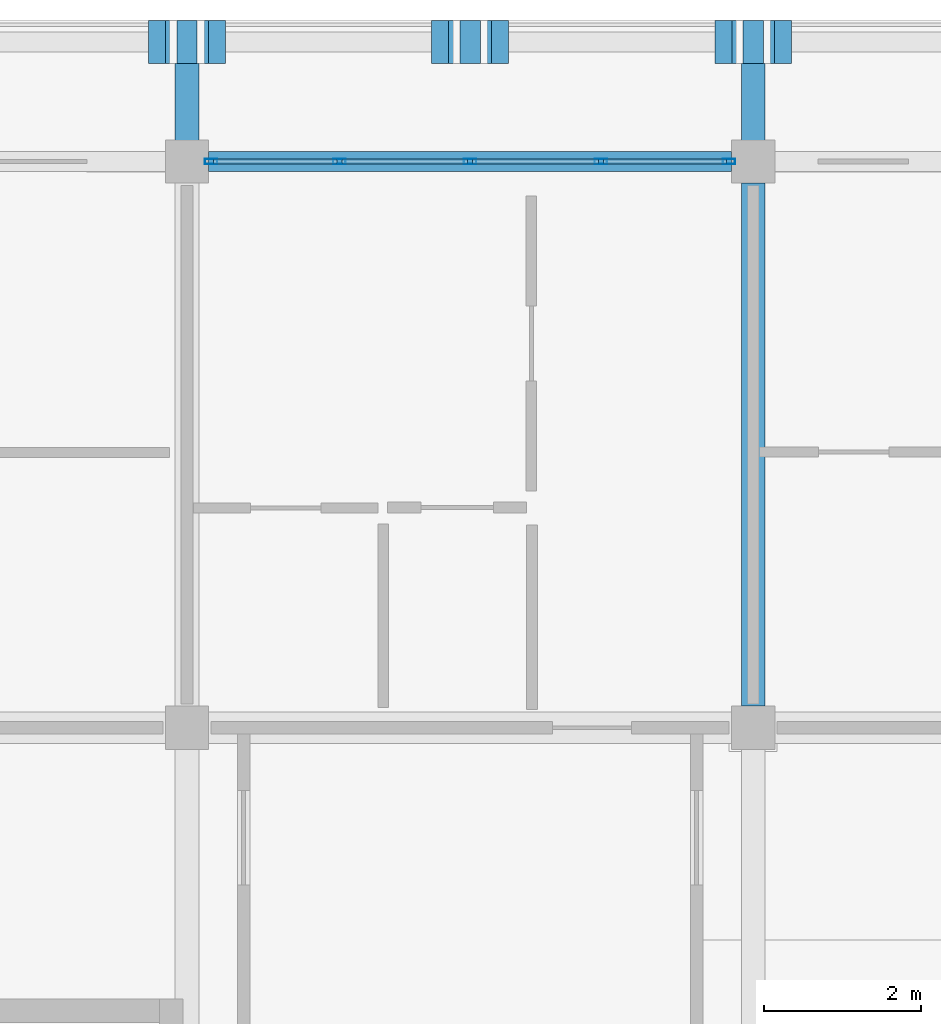
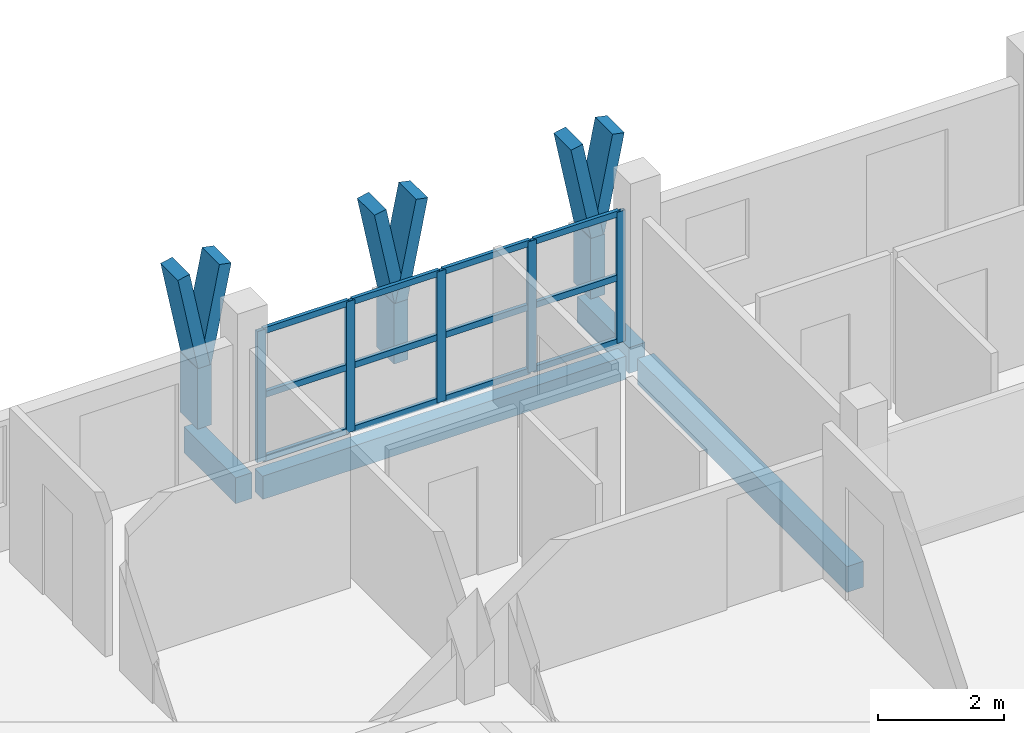
# One storey, part 27 of 67: 26 members, 4 beams, 1 element without a shape of its own.
"""IFC4 building model written with IfcOpenShell, lengths in metres."""

from ifc_helpers import new_model, si_unit, direction, frame, origin, origin_2d, place, context, subcontext, project, spatial, rectangle, hollow_rectangle, extrude, material, material_profile, profile_set, type_object, element, aggregate, save


model = new_model("IFC4")

# Units and contexts
model_context = context("Model", 3, precision=1e-05, world=origin(), true_north=direction((0.0, 1.0)))
body_context = subcontext(model_context, "Body", "Model", "MODEL_VIEW")
ifc_project = project(units=[si_unit("LENGTHUNIT", "METRE"), si_unit("AREAUNIT", "SQUARE_METRE"), si_unit("VOLUMEUNIT", "CUBIC_METRE"), si_unit("PLANEANGLEUNIT", "RADIAN"), si_unit("MASSUNIT", "GRAM", prefix="KILO")], contexts=[model_context])

# Site, building, storey
site_placement = place(None, origin())
site = spatial("IfcSite", under=ifc_project, at=site_placement, CompositionType="ELEMENT")
building_placement = place(site_placement, origin())
building = spatial("IfcBuilding", under=site, at=building_placement, Name="Suanplinth Sawtooth Commons", CompositionType="ELEMENT")
storey_placement = place(building_placement, frame((0.0, 0.0, 25.10009765625)))
storey = spatial("IfcBuildingStorey", under=building, at=storey_placement, Name="L07", CompositionType="ELEMENT", Elevation=25.10009765625)

# Beams
ifc_material_1 = material(Name="Precast concrete C40/50", Category="concrete")
ifc_material_profile_1 = material_profile(ifc_material_1, rectangle(XDim=0.300048828125, YDim=0.5, at=origin_2d()), Name="PC-BM 300x500")
ifc_profile_set_1 = profile_set([ifc_material_profile_1], Name="Precast concrete C40/50")
beam_type_1 = type_object("IfcBeamType", Name="B-07", PredefinedType="BEAM", material=ifc_profile_set_1)
beam_1_placement = place(storey_placement, frame((172.800048828125, 115.47509765625, -0.47021484375), z_axis=(0.0, 1.0, 0.0), x_axis=(-1.0, 0.0, 0.0)))
element("IfcBeam", 1, at=beam_1_placement, inside=storey, type_object=beam_type_1, Name="BMY-L07-B-24-16", PredefinedType="BEAM", context=body_context, shape_type="SweptSolid", body=[
    extrude(rectangle(XDim=0.300048828125, YDim=0.5, at=origin_2d()), origin(), (0.0, 0.0, 1.0), 6.64990234375),
])
for number, where, z_axis, x_axis, name in (
    (2, (165.60009765625, 122.39990234375, -0.43017578125), (0.0, 1.0, 0.0), (-1.0, 0.0, 0.0), "Balcony Outrigger L07-B-N-23"),
    (3, (172.800048828125, 122.39990234375, -0.43017578125), (0.0, 1.0, 0.0), (-1.0, 0.0, 0.0), "Balcony Outrigger L07-B-N-24"),
):
    element("IfcBeam", number, at=place(storey_placement, frame(where, z_axis=z_axis, x_axis=x_axis)), inside=storey, type_object=beam_type_1, Name=name, PredefinedType="BEAM", context=body_context, shape_type="SweptSolid", body=[
        extrude(rectangle(XDim=0.300048828125, YDim=0.5, at=origin_2d()), origin(), (0.0, 0.0, 1.0), 1.64013671875),
    ])
ifc_material_profile_2 = material_profile(ifc_material_1, rectangle(XDim=0.25, YDim=0.449951171875, at=origin_2d()), Name="PC-SP 250x450")
ifc_profile_set_2 = profile_set([ifc_material_profile_2], Name="Precast concrete C40/50")
beam_type_2 = type_object("IfcBeamType", Name="B-09", PredefinedType="SPANDREL", material=ifc_profile_set_2)
beam_2_placement = place(storey_placement, frame((165.875, 122.39990234375, -0.445068359375), z_axis=(1.0, 0.0, 0.0), x_axis=(0.0, 1.0, 0.0)))
element("IfcBeam", 4, at=beam_2_placement, inside=storey, type_object=beam_type_2, Name="BMX-L07-B-23-17", PredefinedType="SPANDREL", context=body_context, shape_type="SweptSolid", body=[
    extrude(rectangle(XDim=0.25, YDim=0.449951171875, at=origin_2d()), origin(), (0.0, 0.0, 1.0), 6.64990234375),
])

# Members
ifc_material_2 = material(Name="Pigmented precast concrete C40/50", Category="concrete")
ifc_material_profile_3 = material_profile(ifc_material_2, rectangle(XDim=0.260009765625, YDim=0.550048828125, at=origin_2d()), Name="PC-FIN 260x550")
ifc_profile_set_3 = profile_set([ifc_material_profile_3], Name="Pigmented precast concrete C40/50")
member_type_1 = type_object("IfcMemberType", Name="M-09", PredefinedType="USERDEFINED", material=ifc_profile_set_3)
for number, where, z_axis, x_axis, name in (
    (5, (165.60009765625, 123.919921875, 0.0), (0.0, 0.0, 1.0), (1.0, 0.0, 0.0), "Y-Blade Stem L07-B-N-05"),
    (6, (169.199951171875, 123.919921875, 0.0), (0.0, 0.0, 1.0), (1.0, 0.0, 0.0), "Y-Blade Stem L07-B-N-06"),
    (7, (172.800048828125, 123.919921875, 0.0), (0.0, 0.0, 1.0), (1.0, 0.0, 0.0), "Y-Blade Stem L07-B-N-07"),
):
    element("IfcMember", number, at=place(storey_placement, frame(where, z_axis=z_axis, x_axis=x_axis)), inside=storey, type_object=member_type_1, Name=name, ObjectType="SHADING FIN", PredefinedType="USERDEFINED", context=body_context, shape_type="SweptSolid", body=[
        extrude(rectangle(XDim=0.260009765625, YDim=0.550048828125, at=origin_2d()), origin(), (0.0, 0.0, 1.0), 1.169921875),
    ])
ifc_material_profile_4 = material_profile(ifc_material_2, rectangle(XDim=0.219970703125, YDim=0.550048828125, at=origin_2d()), Name="PC-FIN 220x550")
ifc_profile_set_4 = profile_set([ifc_material_profile_4], Name="Pigmented precast concrete C40/50")
member_type_2 = type_object("IfcMemberType", Name="M-10", PredefinedType="USERDEFINED", material=ifc_profile_set_4)
member_1_placement = place(storey_placement, frame((165.60009765625, 123.919921875, 1.1298828125), z_axis=(-0.196431120402, 0.0, 0.980517626021), x_axis=(0.980517626021, 0.0, 0.196431120402)))
element("IfcMember", 8, at=member_1_placement, inside=storey, type_object=member_type_2, Name="Y-Blade Arm L L07-B-N-05", ObjectType="SHADING FIN", PredefinedType="USERDEFINED", context=body_context, shape_type="SweptSolid", body=[
    extrude(rectangle(XDim=0.219970703125, YDim=0.550048828125, at=origin_2d()), origin(), (0.0, 0.0, 1.0), 1.937744140625),
])
for number, where, z_axis, x_axis, name in (
    (9, (165.60009765625, 123.919921875, 1.1298828125), (0.196309979414, 0.0, 0.980541886909), (-0.980541886909, 0.0, 0.196309979414), "Y-Blade Arm R L07-B-N-05"),
    (10, (169.199951171875, 123.919921875, 1.1298828125), (-0.196309979414, 0.0, 0.980541886909), (0.980541886909, 0.0, 0.196309979414), "Y-Blade Arm L L07-B-N-06"),
):
    element("IfcMember", number, at=place(storey_placement, frame(where, z_axis=z_axis, x_axis=x_axis)), inside=storey, type_object=member_type_2, Name=name, ObjectType="SHADING FIN", PredefinedType="USERDEFINED", context=body_context, shape_type="SweptSolid", body=[
        extrude(rectangle(XDim=0.219970703125, YDim=0.550048828125, at=origin_2d()), origin(), (0.0, 0.0, 1.0), 1.9375),
    ])
for number, where, z_axis, x_axis, name in (
    (11, (169.199951171875, 123.919921875, 1.1298828125), (0.196431120402, 0.0, 0.980517626021), (-0.980517626021, 0.0, 0.196431120402), "Y-Blade Arm R L07-B-N-06"),
    (12, (172.800048828125, 123.919921875, 1.1298828125), (-0.196431120402, 0.0, 0.980517626021), (0.980517626021, 0.0, 0.196431120402), "Y-Blade Arm L L07-B-N-07"),
):
    element("IfcMember", number, at=place(storey_placement, frame(where, z_axis=z_axis, x_axis=x_axis)), inside=storey, type_object=member_type_2, Name=name, ObjectType="SHADING FIN", PredefinedType="USERDEFINED", context=body_context, shape_type="SweptSolid", body=[
        extrude(rectangle(XDim=0.219970703125, YDim=0.550048828125, at=origin_2d()), origin(), (0.0, 0.0, 1.0), 1.937744140625),
    ])
member_2_placement = place(storey_placement, frame((172.800048828125, 123.919921875, 1.1298828125), z_axis=(0.196309979414, 0.0, 0.980541886909), x_axis=(-0.980541886909, 0.0, 0.196309979414)))
element("IfcMember", 13, at=member_2_placement, inside=storey, type_object=member_type_2, Name="Y-Blade Arm R L07-B-N-07", ObjectType="SHADING FIN", PredefinedType="USERDEFINED", context=body_context, shape_type="SweptSolid", body=[
    extrude(rectangle(XDim=0.219970703125, YDim=0.550048828125, at=origin_2d()), origin(), (0.0, 0.0, 1.0), 1.9375),
])

# Curtain wall, members
ifc_material_3 = material(Name="Anodized aluminium and low-E glazing", Category="aluminium")
curtain_wall_type = type_object("IfcCurtainWallType", Name="CW-06", PredefinedType="USERDEFINED", material=ifc_material_3)
curtain_wall_placement = place(storey_placement, origin())
curtain_wall = element("IfcCurtainWall", 14, at=curtain_wall_placement, inside=storey, type_object=curtain_wall_type, Name="Curtain Wall CW-L07-B-LOUNGE-23", ObjectType="CURTAIN WALL", PredefinedType="USERDEFINED")
ifc_material_4 = material(Name="Anodized aluminium 6063-T6", Category="aluminium")
ifc_material_profile_5 = material_profile(ifc_material_4, hollow_rectangle(XDim=0.06494140625, YDim=0.159912109375, WallThickness=0.00390625, at=origin_2d()), Name="ALU-MUL 65x160")
ifc_profile_set_5 = profile_set([ifc_material_profile_5], Name="Anodized aluminium 6063-T6")
member_type_3 = type_object("IfcMemberType", Name="M-13", PredefinedType="MULLION", material=ifc_profile_set_5)
member_3_placement = place(storey_placement, frame((165.907470703125, 122.39990234375, 0.0), z_axis=(0.0, 0.0, 1.0), x_axis=(0.0, 1.0, 0.0)))
member_3 = element("IfcMember", 15, at=member_3_placement, type_object=member_type_3, Name="CW-06 mullion 1", PredefinedType="MULLION", context=body_context, shape_type="SweptSolid", body=[
    extrude(hollow_rectangle(XDim=0.06494140625, YDim=0.159912109375, WallThickness=0.00390625, at=origin_2d()), origin(), (0.0, 0.0, 1.0), 2.539794921875),
])
member_4_placement = place(storey_placement, frame((167.53759765625, 122.39990234375, 0.0), z_axis=(0.0, 0.0, 1.0), x_axis=(0.0, 1.0, 0.0)))
member_4 = element("IfcMember", 16, at=member_4_placement, type_object=member_type_3, Name="CW-06 mullion 2", PredefinedType="MULLION", context=body_context, shape_type="SweptSolid", body=[
    extrude(hollow_rectangle(XDim=0.06494140625, YDim=0.159912109375, WallThickness=0.00390625, at=origin_2d()), origin(), (0.0, 0.0, 1.0), 2.539794921875),
])
member_5_placement = place(storey_placement, frame((169.199951171875, 122.39990234375, 0.0), z_axis=(0.0, 0.0, 1.0), x_axis=(0.0, 1.0, 0.0)))
member_5 = element("IfcMember", 17, at=member_5_placement, type_object=member_type_3, Name="CW-06 mullion 3", PredefinedType="MULLION", context=body_context, shape_type="SweptSolid", body=[
    extrude(hollow_rectangle(XDim=0.06494140625, YDim=0.159912109375, WallThickness=0.00390625, at=origin_2d()), origin(), (0.0, 0.0, 1.0), 2.539794921875),
])
member_6_placement = place(storey_placement, frame((170.862548828125, 122.39990234375, 0.0), z_axis=(0.0, 0.0, 1.0), x_axis=(0.0, 1.0, 0.0)))
member_6 = element("IfcMember", 18, at=member_6_placement, type_object=member_type_3, Name="CW-06 mullion 4", PredefinedType="MULLION", context=body_context, shape_type="SweptSolid", body=[
    extrude(hollow_rectangle(XDim=0.06494140625, YDim=0.159912109375, WallThickness=0.00390625, at=origin_2d()), origin(), (0.0, 0.0, 1.0), 2.539794921875),
])
member_7_placement = place(storey_placement, frame((172.492431640625, 122.39990234375, 0.0), z_axis=(0.0, 0.0, 1.0), x_axis=(0.0, 1.0, 0.0)))
member_7 = element("IfcMember", 19, at=member_7_placement, type_object=member_type_3, Name="CW-06 mullion 5", PredefinedType="MULLION", context=body_context, shape_type="SweptSolid", body=[
    extrude(hollow_rectangle(XDim=0.06494140625, YDim=0.159912109375, WallThickness=0.00390625, at=origin_2d()), origin(), (0.0, 0.0, 1.0), 2.539794921875),
])
ifc_material_profile_6 = material_profile(ifc_material_4, hollow_rectangle(XDim=0.06494140625, YDim=0.1201171875, WallThickness=0.00390625, at=origin_2d()), Name="ALU-TRN 65x120")
ifc_profile_set_6 = profile_set([ifc_material_profile_6], Name="Anodized aluminium 6063-T6")
member_type_4 = type_object("IfcMemberType", Name="M-15", PredefinedType="USERDEFINED", material=ifc_profile_set_6)
member_8_placement = place(storey_placement, frame((165.93994140625, 122.39990234375, 0.032470703125), z_axis=(1.0, 0.0, 0.0), x_axis=(0.0, 1.0, 0.0)))
member_8 = element("IfcMember", 20, at=member_8_placement, type_object=member_type_4, Name="CW-06 transom 1.1", ObjectType="TRANSOM", PredefinedType="USERDEFINED", context=body_context, shape_type="SweptSolid", body=[
    extrude(hollow_rectangle(XDim=0.06494140625, YDim=0.1201171875, WallThickness=0.00390625, at=origin_2d()), origin(), (0.0, 0.0, 1.0), 1.56494140625),
])
member_9_placement = place(storey_placement, frame((165.93994140625, 122.39990234375, 1.27001953125), z_axis=(1.0, 0.0, 0.0), x_axis=(0.0, 1.0, 0.0)))
member_9 = element("IfcMember", 21, at=member_9_placement, type_object=member_type_4, Name="CW-06 transom 1.2", ObjectType="TRANSOM", PredefinedType="USERDEFINED", context=body_context, shape_type="SweptSolid", body=[
    extrude(hollow_rectangle(XDim=0.06494140625, YDim=0.1201171875, WallThickness=0.00390625, at=origin_2d()), origin(), (0.0, 0.0, 1.0), 1.56494140625),
])
member_10_placement = place(storey_placement, frame((165.93994140625, 122.39990234375, 2.50732421875), z_axis=(1.0, 0.0, 0.0), x_axis=(0.0, 1.0, 0.0)))
member_10 = element("IfcMember", 22, at=member_10_placement, type_object=member_type_4, Name="CW-06 transom 1.3", ObjectType="TRANSOM", PredefinedType="USERDEFINED", context=body_context, shape_type="SweptSolid", body=[
    extrude(hollow_rectangle(XDim=0.06494140625, YDim=0.1201171875, WallThickness=0.00390625, at=origin_2d()), origin(), (0.0, 0.0, 1.0), 1.56494140625),
])
member_11_placement = place(storey_placement, frame((167.570068359375, 122.39990234375, 0.032470703125), z_axis=(1.0, 0.0, 0.0), x_axis=(0.0, 1.0, 0.0)))
member_11 = element("IfcMember", 23, at=member_11_placement, type_object=member_type_4, Name="CW-06 transom 2.1", ObjectType="TRANSOM", PredefinedType="USERDEFINED", context=body_context, shape_type="SweptSolid", body=[
    extrude(hollow_rectangle(XDim=0.06494140625, YDim=0.1201171875, WallThickness=0.00390625, at=origin_2d()), origin(), (0.0, 0.0, 1.0), 1.597412109375),
])
member_12_placement = place(storey_placement, frame((167.570068359375, 122.39990234375, 1.27001953125), z_axis=(1.0, 0.0, 0.0), x_axis=(0.0, 1.0, 0.0)))
member_12 = element("IfcMember", 24, at=member_12_placement, type_object=member_type_4, Name="CW-06 transom 2.2", ObjectType="TRANSOM", PredefinedType="USERDEFINED", context=body_context, shape_type="SweptSolid", body=[
    extrude(hollow_rectangle(XDim=0.06494140625, YDim=0.1201171875, WallThickness=0.00390625, at=origin_2d()), origin(), (0.0, 0.0, 1.0), 1.597412109375),
])
member_13_placement = place(storey_placement, frame((167.570068359375, 122.39990234375, 2.50732421875), z_axis=(1.0, 0.0, 0.0), x_axis=(0.0, 1.0, 0.0)))
member_13 = element("IfcMember", 25, at=member_13_placement, type_object=member_type_4, Name="CW-06 transom 2.3", ObjectType="TRANSOM", PredefinedType="USERDEFINED", context=body_context, shape_type="SweptSolid", body=[
    extrude(hollow_rectangle(XDim=0.06494140625, YDim=0.1201171875, WallThickness=0.00390625, at=origin_2d()), origin(), (0.0, 0.0, 1.0), 1.597412109375),
])
member_14_placement = place(storey_placement, frame((169.232421875, 122.39990234375, 0.032470703125), z_axis=(1.0, 0.0, 0.0), x_axis=(0.0, 1.0, 0.0)))
member_14 = element("IfcMember", 26, at=member_14_placement, type_object=member_type_4, Name="CW-06 transom 3.1", ObjectType="TRANSOM", PredefinedType="USERDEFINED", context=body_context, shape_type="SweptSolid", body=[
    extrude(hollow_rectangle(XDim=0.06494140625, YDim=0.1201171875, WallThickness=0.00390625, at=origin_2d()), origin(), (0.0, 0.0, 1.0), 1.59765625),
])
member_15_placement = place(storey_placement, frame((169.232421875, 122.39990234375, 1.27001953125), z_axis=(1.0, 0.0, 0.0), x_axis=(0.0, 1.0, 0.0)))
member_15 = element("IfcMember", 27, at=member_15_placement, type_object=member_type_4, Name="CW-06 transom 3.2", ObjectType="TRANSOM", PredefinedType="USERDEFINED", context=body_context, shape_type="SweptSolid", body=[
    extrude(hollow_rectangle(XDim=0.06494140625, YDim=0.1201171875, WallThickness=0.00390625, at=origin_2d()), origin(), (0.0, 0.0, 1.0), 1.59765625),
])
member_16_placement = place(storey_placement, frame((169.232421875, 122.39990234375, 2.50732421875), z_axis=(1.0, 0.0, 0.0), x_axis=(0.0, 1.0, 0.0)))
member_16 = element("IfcMember", 28, at=member_16_placement, type_object=member_type_4, Name="CW-06 transom 3.3", ObjectType="TRANSOM", PredefinedType="USERDEFINED", context=body_context, shape_type="SweptSolid", body=[
    extrude(hollow_rectangle(XDim=0.06494140625, YDim=0.1201171875, WallThickness=0.00390625, at=origin_2d()), origin(), (0.0, 0.0, 1.0), 1.59765625),
])
member_17_placement = place(storey_placement, frame((170.89501953125, 122.39990234375, 0.032470703125), z_axis=(1.0, 0.0, 0.0), x_axis=(0.0, 1.0, 0.0)))
member_17 = element("IfcMember", 29, at=member_17_placement, type_object=member_type_4, Name="CW-06 transom 4.1", ObjectType="TRANSOM", PredefinedType="USERDEFINED", context=body_context, shape_type="SweptSolid", body=[
    extrude(hollow_rectangle(XDim=0.06494140625, YDim=0.1201171875, WallThickness=0.00390625, at=origin_2d()), origin(), (0.0, 0.0, 1.0), 1.56494140625),
])
member_18_placement = place(storey_placement, frame((170.89501953125, 122.39990234375, 1.27001953125), z_axis=(1.0, 0.0, 0.0), x_axis=(0.0, 1.0, 0.0)))
member_18 = element("IfcMember", 30, at=member_18_placement, type_object=member_type_4, Name="CW-06 transom 4.2", ObjectType="TRANSOM", PredefinedType="USERDEFINED", context=body_context, shape_type="SweptSolid", body=[
    extrude(hollow_rectangle(XDim=0.06494140625, YDim=0.1201171875, WallThickness=0.00390625, at=origin_2d()), origin(), (0.0, 0.0, 1.0), 1.56494140625),
])
member_19_placement = place(storey_placement, frame((170.89501953125, 122.39990234375, 2.50732421875), z_axis=(1.0, 0.0, 0.0), x_axis=(0.0, 1.0, 0.0)))
member_19 = element("IfcMember", 31, at=member_19_placement, type_object=member_type_4, Name="CW-06 transom 4.3", ObjectType="TRANSOM", PredefinedType="USERDEFINED", context=body_context, shape_type="SweptSolid", body=[
    extrude(hollow_rectangle(XDim=0.06494140625, YDim=0.1201171875, WallThickness=0.00390625, at=origin_2d()), origin(), (0.0, 0.0, 1.0), 1.56494140625),
])
aggregate(curtain_wall, [member_3, member_4, member_5, member_6, member_7, member_8, member_9, member_10, member_11, member_12, member_13, member_14, member_15, member_16, member_17, member_18, member_19])

save(model, "model.ifc")
